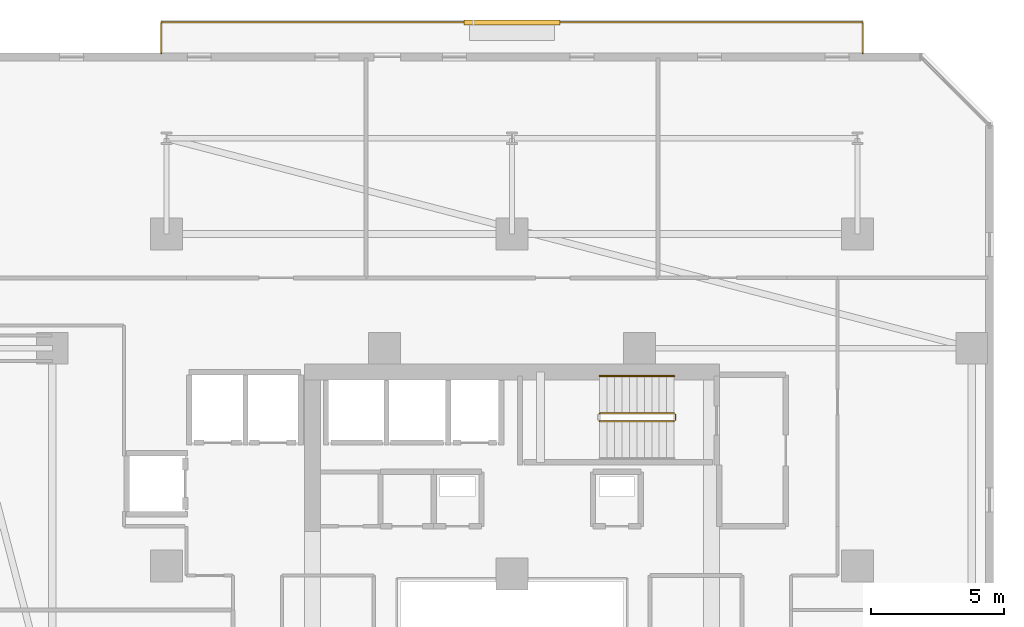
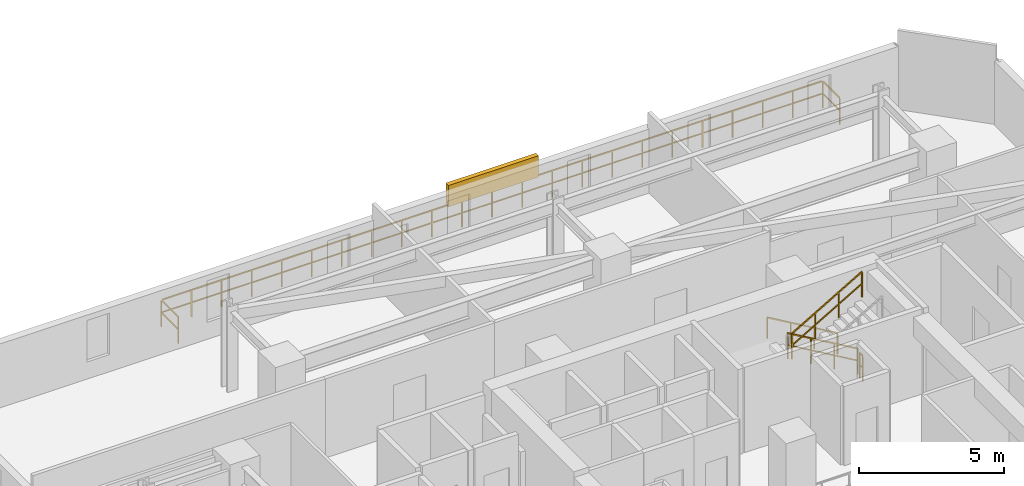
# One storey, part 31 of 33: 5 railings, 1 shading device.
"""IFC4 building model written with IfcOpenShell, lengths in metres."""

from ifc_helpers import new_model, si_unit, direction, frame, origin, origin_2d, place, context, subcontext, project, spatial, rectangle, extrude, material, type_object, element, save


model = new_model("IFC4")

# Units and contexts
model_context = context("Model", 3, precision=1e-05, world=origin(), true_north=direction((0.0, 1.0)))
body_context = subcontext(model_context, "Body", "Model", "MODEL_VIEW")
ifc_project = project(units=[si_unit("LENGTHUNIT", "METRE"), si_unit("AREAUNIT", "SQUARE_METRE"), si_unit("VOLUMEUNIT", "CUBIC_METRE"), si_unit("PLANEANGLEUNIT", "RADIAN"), si_unit("MASSUNIT", "GRAM", prefix="KILO")], contexts=[model_context])

# Site, building, storey
site_placement = place(None, origin())
site = spatial("IfcSite", under=ifc_project, at=site_placement, CompositionType="ELEMENT")
building_placement = place(site_placement, origin())
building = spatial("IfcBuilding", under=site, at=building_placement, Name="Thornwick Lancets Civic Towers", CompositionType="ELEMENT")
storey_placement = place(building_placement, frame((0.0, 0.0, 112.5)))
storey = spatial("IfcBuildingStorey", under=building, at=storey_placement, Name="L29", CompositionType="ELEMENT", Elevation=112.5)

# Railings
ifc_material_1 = material(Name="Brushed stainless steel S355", Category="steel")
railing_type_1 = type_object("IfcRailingType", Name="RAIL_HANDRAIL", PredefinedType="HANDRAIL", material=ifc_material_1)
railing_1_placement = place(storey_placement, frame((31.60009765625, 38.949951171875, 0.16357421875)))
element("IfcRailing", 1, at=railing_1_placement, inside=storey, type_object=railing_type_1, Name="L29 ST-A2 stair handrail 1", PredefinedType="HANDRAIL", context=body_context, shape_type="SweptSolid", body=[
    extrude(rectangle(XDim=0.048095703125, YDim=0.048095703125, at=origin_2d()), frame((0.0, 0.0, 0.8857421875), z_axis=(-0.863360870873, 0.0, 0.504586966384), x_axis=(0.0, -1.0, 0.0)), (0.0, 0.0, 1.0), 3.2431640625),
    extrude(rectangle(XDim=0.0419921875, YDim=0.0419921875, at=origin_2d()), origin(), (0.0, 0.0, 1.0), 0.855712890625),
    extrude(rectangle(XDim=0.0419921875, YDim=0.0419921875, at=origin_2d()), frame((-0.933349609375, 0.0, 0.54541015625)), (0.0, 0.0, 1.0), 0.855712890625),
    extrude(rectangle(XDim=0.0419921875, YDim=0.0419921875, at=origin_2d()), frame((-1.86669921875, 0.0, 1.091064453125)), (0.0, 0.0, 1.0), 0.855712890625),
    extrude(rectangle(XDim=0.0419921875, YDim=0.0419921875, at=origin_2d()), frame((-2.800048828125, 0.0, 1.636474609375)), (0.0, 0.0, 1.0), 0.855712890625),
])
ifc_material_2 = material(Name="Steel S355JR", Category="steel")
railing_type_2 = type_object("IfcRailingType", Name="RAIL_STAIR_GUARD", PredefinedType="GUARDRAIL", material=ifc_material_2)
railing_2_placement = place(storey_placement, frame((31.60009765625, 37.550048828125, 0.16357421875)))
element("IfcRailing", 2, at=railing_2_placement, inside=storey, type_object=railing_type_2, Name="L29 ST-A2 stair guard 1", PredefinedType="GUARDRAIL", context=body_context, shape_type="SweptSolid", body=[
    extrude(rectangle(XDim=0.048095703125, YDim=0.048095703125, at=origin_2d()), frame((0.0, 0.0, 1.076171875), z_axis=(-0.863360870873, 0.0, 0.504586966384), x_axis=(0.0, -1.0, 0.0)), (0.0, 0.0, 1.0), 3.2431640625),
    extrude(rectangle(XDim=0.0419921875, YDim=0.0419921875, at=origin_2d()), frame((-0.032470703125, 0.0, 0.591064453125), z_axis=(-0.863360870873, 0.0, 0.504586966384), x_axis=(0.0, -1.0, 0.0)), (0.0, 0.0, 1.0), 1.006103515625),
    extrude(rectangle(XDim=0.0419921875, YDim=0.0419921875, at=origin_2d()), frame((-0.9658203125, 0.0, 1.136474609375), z_axis=(-0.863360870873, 0.0, 0.504586966384), x_axis=(0.0, -1.0, 0.0)), (0.0, 0.0, 1.0), 1.006103515625),
    extrude(rectangle(XDim=0.0419921875, YDim=0.0419921875, at=origin_2d()), frame((-1.899169921875, 0.0, 1.681884765625), z_axis=(-0.863360870873, 0.0, 0.504586966384), x_axis=(0.0, -1.0, 0.0)), (0.0, 0.0, 1.0), 1.006103515625),
    extrude(rectangle(XDim=0.0419921875, YDim=0.0419921875, at=origin_2d()), origin(), (0.0, 0.0, 1.0), 1.0458984375),
    extrude(rectangle(XDim=0.0419921875, YDim=0.0419921875, at=origin_2d()), frame((-0.933349609375, 0.0, 0.54541015625)), (0.0, 0.0, 1.0), 1.0458984375),
    extrude(rectangle(XDim=0.0419921875, YDim=0.0419921875, at=origin_2d()), frame((-1.86669921875, 0.0, 1.091064453125)), (0.0, 0.0, 1.0), 1.0458984375),
    extrude(rectangle(XDim=0.0419921875, YDim=0.0419921875, at=origin_2d()), frame((-2.800048828125, 0.0, 1.636474609375)), (0.0, 0.0, 1.0), 1.0458984375),
])
railing_3_placement = place(storey_placement, frame((28.800048828125, 37.25, 1.963623046875)))
element("IfcRailing", 3, at=railing_3_placement, inside=storey, type_object=railing_type_2, Name="L29 ST-A2 stair guard 3", PredefinedType="GUARDRAIL", context=body_context, shape_type="SweptSolid", body=[
    extrude(rectangle(XDim=0.048095703125, YDim=0.048095703125, at=origin_2d()), frame((0.0, 0.0, 1.076171875), z_axis=(0.863360870873, 0.0, 0.504586966384), x_axis=(0.0, 1.0, 0.0)), (0.0, 0.0, 1.0), 3.2431640625),
    extrude(rectangle(XDim=0.0419921875, YDim=0.0419921875, at=origin_2d()), frame((0.032470703125, 0.0, 0.591064453125), z_axis=(0.863360870873, 0.0, 0.504586966384), x_axis=(0.0, 1.0, 0.0)), (0.0, 0.0, 1.0), 1.006103515625),
    extrude(rectangle(XDim=0.0419921875, YDim=0.0419921875, at=origin_2d()), frame((0.9658203125, 0.0, 1.136474609375), z_axis=(0.863360870873, 0.0, 0.504586966384), x_axis=(0.0, 1.0, 0.0)), (0.0, 0.0, 1.0), 1.006103515625),
    extrude(rectangle(XDim=0.0419921875, YDim=0.0419921875, at=origin_2d()), frame((1.899169921875, 0.0, 1.681884765625), z_axis=(0.863360870873, 0.0, 0.504586966384), x_axis=(0.0, 1.0, 0.0)), (0.0, 0.0, 1.0), 1.006103515625),
    extrude(rectangle(XDim=0.0419921875, YDim=0.0419921875, at=origin_2d()), origin(), (0.0, 0.0, 1.0), 1.0458984375),
    extrude(rectangle(XDim=0.0419921875, YDim=0.0419921875, at=origin_2d()), frame((0.933349609375, 0.0, 0.54541015625)), (0.0, 0.0, 1.0), 1.0458984375),
    extrude(rectangle(XDim=0.0419921875, YDim=0.0419921875, at=origin_2d()), frame((1.86669921875, 0.0, 1.091064453125)), (0.0, 0.0, 1.0), 1.0458984375),
    extrude(rectangle(XDim=0.0419921875, YDim=0.0419921875, at=origin_2d()), frame((2.800048828125, 0.0, 1.636474609375)), (0.0, 0.0, 1.0), 1.0458984375),
])
railing_4_placement = place(storey_placement, frame((31.64990234375, 37.5, 0.0)))
element("IfcRailing", 4, at=railing_4_placement, inside=storey, type_object=railing_type_2, Name="L29 ST-A2 stair guard 4", PredefinedType="GUARDRAIL", context=body_context, shape_type="SweptSolid", body=[
    extrude(rectangle(XDim=0.048095703125, YDim=0.048095703125, at=origin_2d()), frame((0.0, 0.0, 1.076171875), z_axis=(0.0, -1.0, 0.0), x_axis=(1.0, 0.0, 0.0)), (0.0, 0.0, 1.0), 0.199951171875),
    extrude(rectangle(XDim=0.0419921875, YDim=0.0419921875, at=origin_2d()), frame((0.0, -0.03759765625, 0.572021484375), z_axis=(0.0, -1.0, 0.0), x_axis=(1.0, 0.0, 0.0)), (0.0, 0.0, 1.0), 0.125),
    extrude(rectangle(XDim=0.0419921875, YDim=0.0419921875, at=origin_2d()), origin(), (0.0, 0.0, 1.0), 1.0458984375),
    extrude(rectangle(XDim=0.0419921875, YDim=0.0419921875, at=origin_2d()), frame((0.0, -0.199951171875, 0.0)), (0.0, 0.0, 1.0), 1.0458984375),
])
ifc_material_3 = material(Name="Terracotta-capped laminated glass balustrade S355", Category="masonry")
railing_type_3 = type_object("IfcRailingType", Name="RAIL_TERR_GUARD", PredefinedType="GUARDRAIL", material=ifc_material_3)
railing_5_placement = place(storey_placement, frame((12.300048828125, 51.10009765625, 0.0)))
element("IfcRailing", 5, at=railing_5_placement, inside=storey, type_object=railing_type_3, Name="L29 Tower A Balcony Guard N", PredefinedType="GUARDRAIL", context=body_context, shape_type="SweptSolid", body=[
    extrude(rectangle(XDim=0.048095703125, YDim=0.048095703125, at=origin_2d()), frame((0.0, 0.0, 1.1259765625), z_axis=(0.0, 1.0, 0.0), x_axis=(-1.0, 0.0, 0.0)), (0.0, 0.0, 1.0), 1.138671875),
    extrude(rectangle(XDim=0.0419921875, YDim=0.0419921875, at=origin_2d()), frame((0.0, 0.03759765625, 0.597900390625), z_axis=(0.0, 1.0, 0.0), x_axis=(-1.0, 0.0, 0.0)), (0.0, 0.0, 1.0), 1.094970703125),
    extrude(rectangle(XDim=0.048095703125, YDim=0.048095703125, at=origin_2d()), frame((0.03125, 1.169921875, 1.1259765625), z_axis=(1.0, 0.0, 0.0), x_axis=(0.0, 1.0, 0.0)), (0.0, 0.0, 1.0), 26.33740234375),
    extrude(rectangle(XDim=0.0419921875, YDim=0.0419921875, at=origin_2d()), frame((0.03759765625, 1.169921875, 0.597900390625), z_axis=(1.0, 0.0, 0.0), x_axis=(0.0, 1.0, 0.0)), (0.0, 0.0, 1.0), 1.125),
    extrude(rectangle(XDim=0.0419921875, YDim=0.0419921875, at=origin_2d()), frame((1.237548828125, 1.169921875, 0.597900390625), z_axis=(1.0, 0.0, 0.0), x_axis=(0.0, 1.0, 0.0)), (0.0, 0.0, 1.0), 1.125),
    extrude(rectangle(XDim=0.0419921875, YDim=0.0419921875, at=origin_2d()), frame((2.4375, 1.169921875, 0.597900390625), z_axis=(1.0, 0.0, 0.0), x_axis=(0.0, 1.0, 0.0)), (0.0, 0.0, 1.0), 1.125),
    extrude(rectangle(XDim=0.0419921875, YDim=0.0419921875, at=origin_2d()), frame((3.637451171875, 1.169921875, 0.597900390625), z_axis=(1.0, 0.0, 0.0), x_axis=(0.0, 1.0, 0.0)), (0.0, 0.0, 1.0), 1.125),
    extrude(rectangle(XDim=0.0419921875, YDim=0.0419921875, at=origin_2d()), frame((4.83740234375, 1.169921875, 0.597900390625), z_axis=(1.0, 0.0, 0.0), x_axis=(0.0, 1.0, 0.0)), (0.0, 0.0, 1.0), 1.125),
    extrude(rectangle(XDim=0.0419921875, YDim=0.0419921875, at=origin_2d()), frame((6.037353515625, 1.169921875, 0.597900390625), z_axis=(1.0, 0.0, 0.0), x_axis=(0.0, 1.0, 0.0)), (0.0, 0.0, 1.0), 1.125),
    extrude(rectangle(XDim=0.0419921875, YDim=0.0419921875, at=origin_2d()), frame((7.237548828125, 1.169921875, 0.597900390625), z_axis=(1.0, 0.0, 0.0), x_axis=(0.0, 1.0, 0.0)), (0.0, 0.0, 1.0), 1.125),
    extrude(rectangle(XDim=0.0419921875, YDim=0.0419921875, at=origin_2d()), frame((8.4375, 1.169921875, 0.597900390625), z_axis=(1.0, 0.0, 0.0), x_axis=(0.0, 1.0, 0.0)), (0.0, 0.0, 1.0), 1.125),
    extrude(rectangle(XDim=0.0419921875, YDim=0.0419921875, at=origin_2d()), frame((9.637451171875, 1.169921875, 0.597900390625), z_axis=(1.0, 0.0, 0.0), x_axis=(0.0, 1.0, 0.0)), (0.0, 0.0, 1.0), 1.125),
    extrude(rectangle(XDim=0.0419921875, YDim=0.0419921875, at=origin_2d()), frame((10.83740234375, 1.169921875, 0.597900390625), z_axis=(1.0, 0.0, 0.0), x_axis=(0.0, 1.0, 0.0)), (0.0, 0.0, 1.0), 1.125),
    extrude(rectangle(XDim=0.0419921875, YDim=0.0419921875, at=origin_2d()), frame((12.037353515625, 1.169921875, 0.597900390625), z_axis=(1.0, 0.0, 0.0), x_axis=(0.0, 1.0, 0.0)), (0.0, 0.0, 1.0), 1.125),
    extrude(rectangle(XDim=0.0419921875, YDim=0.0419921875, at=origin_2d()), frame((13.237548828125, 1.169921875, 0.597900390625), z_axis=(1.0, 0.0, 0.0), x_axis=(0.0, 1.0, 0.0)), (0.0, 0.0, 1.0), 1.125),
    extrude(rectangle(XDim=0.0419921875, YDim=0.0419921875, at=origin_2d()), frame((14.4375, 1.169921875, 0.597900390625), z_axis=(1.0, 0.0, 0.0), x_axis=(0.0, 1.0, 0.0)), (0.0, 0.0, 1.0), 1.125),
    extrude(rectangle(XDim=0.0419921875, YDim=0.0419921875, at=origin_2d()), frame((15.637451171875, 1.169921875, 0.597900390625), z_axis=(1.0, 0.0, 0.0), x_axis=(0.0, 1.0, 0.0)), (0.0, 0.0, 1.0), 1.125),
    extrude(rectangle(XDim=0.0419921875, YDim=0.0419921875, at=origin_2d()), frame((16.83740234375, 1.169921875, 0.597900390625), z_axis=(1.0, 0.0, 0.0), x_axis=(0.0, 1.0, 0.0)), (0.0, 0.0, 1.0), 1.125),
    extrude(rectangle(XDim=0.0419921875, YDim=0.0419921875, at=origin_2d()), frame((18.037353515625, 1.169921875, 0.597900390625), z_axis=(1.0, 0.0, 0.0), x_axis=(0.0, 1.0, 0.0)), (0.0, 0.0, 1.0), 1.125),
    extrude(rectangle(XDim=0.0419921875, YDim=0.0419921875, at=origin_2d()), frame((19.2373046875, 1.169921875, 0.597900390625), z_axis=(1.0, 0.0, 0.0), x_axis=(0.0, 1.0, 0.0)), (0.0, 0.0, 1.0), 1.125),
    extrude(rectangle(XDim=0.0419921875, YDim=0.0419921875, at=origin_2d()), frame((20.4375, 1.169921875, 0.597900390625), z_axis=(1.0, 0.0, 0.0), x_axis=(0.0, 1.0, 0.0)), (0.0, 0.0, 1.0), 1.125),
    extrude(rectangle(XDim=0.0419921875, YDim=0.0419921875, at=origin_2d()), frame((21.637451171875, 1.169921875, 0.597900390625), z_axis=(1.0, 0.0, 0.0), x_axis=(0.0, 1.0, 0.0)), (0.0, 0.0, 1.0), 1.125),
    extrude(rectangle(XDim=0.0419921875, YDim=0.0419921875, at=origin_2d()), frame((22.83740234375, 1.169921875, 0.597900390625), z_axis=(1.0, 0.0, 0.0), x_axis=(0.0, 1.0, 0.0)), (0.0, 0.0, 1.0), 1.125),
    extrude(rectangle(XDim=0.0419921875, YDim=0.0419921875, at=origin_2d()), frame((24.037353515625, 1.169921875, 0.597900390625), z_axis=(1.0, 0.0, 0.0), x_axis=(0.0, 1.0, 0.0)), (0.0, 0.0, 1.0), 1.125),
    extrude(rectangle(XDim=0.0419921875, YDim=0.0419921875, at=origin_2d()), frame((25.2373046875, 1.169921875, 0.597900390625), z_axis=(1.0, 0.0, 0.0), x_axis=(0.0, 1.0, 0.0)), (0.0, 0.0, 1.0), 1.125),
    extrude(rectangle(XDim=0.048095703125, YDim=0.048095703125, at=origin_2d()), frame((26.39990234375, 1.138671875, 1.1259765625), z_axis=(0.0, -1.0, 0.0), x_axis=(1.0, 0.0, 0.0)), (0.0, 0.0, 1.0), 1.138671875),
    extrude(rectangle(XDim=0.0419921875, YDim=0.0419921875, at=origin_2d()), frame((26.39990234375, 1.13232421875, 0.597900390625), z_axis=(0.0, -1.0, 0.0), x_axis=(1.0, 0.0, 0.0)), (0.0, 0.0, 1.0), 1.094970703125),
    extrude(rectangle(XDim=0.0419921875, YDim=0.0419921875, at=origin_2d()), origin(), (0.0, 0.0, 1.0), 1.095703125),
    extrude(rectangle(XDim=0.0419921875, YDim=0.0419921875, at=origin_2d()), frame((0.0, 1.169921875, 0.0)), (0.0, 0.0, 1.0), 1.095703125),
    extrude(rectangle(XDim=0.0419921875, YDim=0.0419921875, at=origin_2d()), frame((1.199951171875, 1.169921875, 0.0)), (0.0, 0.0, 1.0), 1.095703125),
    extrude(rectangle(XDim=0.0419921875, YDim=0.0419921875, at=origin_2d()), frame((2.39990234375, 1.169921875, 0.0)), (0.0, 0.0, 1.0), 1.095703125),
    extrude(rectangle(XDim=0.0419921875, YDim=0.0419921875, at=origin_2d()), frame((3.60009765625, 1.169921875, 0.0)), (0.0, 0.0, 1.0), 1.095703125),
    extrude(rectangle(XDim=0.0419921875, YDim=0.0419921875, at=origin_2d()), frame((4.800048828125, 1.169921875, 0.0)), (0.0, 0.0, 1.0), 1.095703125),
    extrude(rectangle(XDim=0.0419921875, YDim=0.0419921875, at=origin_2d()), frame((6.0, 1.169921875, 0.0)), (0.0, 0.0, 1.0), 1.095703125),
    extrude(rectangle(XDim=0.0419921875, YDim=0.0419921875, at=origin_2d()), frame((7.199951171875, 1.169921875, 0.0)), (0.0, 0.0, 1.0), 1.095703125),
    extrude(rectangle(XDim=0.0419921875, YDim=0.0419921875, at=origin_2d()), frame((8.39990234375, 1.169921875, 0.0)), (0.0, 0.0, 1.0), 1.095703125),
    extrude(rectangle(XDim=0.0419921875, YDim=0.0419921875, at=origin_2d()), frame((9.599853515625, 1.169921875, 0.0)), (0.0, 0.0, 1.0), 1.095703125),
    extrude(rectangle(XDim=0.0419921875, YDim=0.0419921875, at=origin_2d()), frame((10.800048828125, 1.169921875, 0.0)), (0.0, 0.0, 1.0), 1.095703125),
    extrude(rectangle(XDim=0.0419921875, YDim=0.0419921875, at=origin_2d()), frame((12.0, 1.169921875, 0.0)), (0.0, 0.0, 1.0), 1.095703125),
    extrude(rectangle(XDim=0.0419921875, YDim=0.0419921875, at=origin_2d()), frame((13.199951171875, 1.169921875, 0.0)), (0.0, 0.0, 1.0), 1.095703125),
    extrude(rectangle(XDim=0.0419921875, YDim=0.0419921875, at=origin_2d()), frame((14.39990234375, 1.169921875, 0.0)), (0.0, 0.0, 1.0), 1.095703125),
    extrude(rectangle(XDim=0.0419921875, YDim=0.0419921875, at=origin_2d()), frame((15.599853515625, 1.169921875, 0.0)), (0.0, 0.0, 1.0), 1.095703125),
    extrude(rectangle(XDim=0.0419921875, YDim=0.0419921875, at=origin_2d()), frame((16.800048828125, 1.169921875, 0.0)), (0.0, 0.0, 1.0), 1.095703125),
    extrude(rectangle(XDim=0.0419921875, YDim=0.0419921875, at=origin_2d()), frame((18.0, 1.169921875, 0.0)), (0.0, 0.0, 1.0), 1.095703125),
    extrude(rectangle(XDim=0.0419921875, YDim=0.0419921875, at=origin_2d()), frame((19.199951171875, 1.169921875, 0.0)), (0.0, 0.0, 1.0), 1.095703125),
    extrude(rectangle(XDim=0.0419921875, YDim=0.0419921875, at=origin_2d()), frame((20.39990234375, 1.169921875, 0.0)), (0.0, 0.0, 1.0), 1.095703125),
    extrude(rectangle(XDim=0.0419921875, YDim=0.0419921875, at=origin_2d()), frame((21.599853515625, 1.169921875, 0.0)), (0.0, 0.0, 1.0), 1.095703125),
    extrude(rectangle(XDim=0.0419921875, YDim=0.0419921875, at=origin_2d()), frame((22.7998046875, 1.169921875, 0.0)), (0.0, 0.0, 1.0), 1.095703125),
    extrude(rectangle(XDim=0.0419921875, YDim=0.0419921875, at=origin_2d()), frame((24.0, 1.169921875, 0.0)), (0.0, 0.0, 1.0), 1.095703125),
    extrude(rectangle(XDim=0.0419921875, YDim=0.0419921875, at=origin_2d()), frame((25.199951171875, 1.169921875, 0.0)), (0.0, 0.0, 1.0), 1.095703125),
    extrude(rectangle(XDim=0.0419921875, YDim=0.0419921875, at=origin_2d()), frame((26.39990234375, 1.169921875, 0.0)), (0.0, 0.0, 1.0), 1.095703125),
    extrude(rectangle(XDim=0.0419921875, YDim=0.0419921875, at=origin_2d()), frame((26.39990234375, 0.0, 0.0)), (0.0, 0.0, 1.0), 1.095703125),
])

# Shading device
ifc_material_4 = material(Name="Extruded terracotta baguette solar screen", Category="masonry")
shading_device_type = type_object("IfcShadingDeviceType", Name="SHADE_BAGUETTE", PredefinedType="JALOUSIE", material=ifc_material_4)
shading_device_placement = place(storey_placement, frame((25.5, 52.260009765625, 1.1201171875), z_axis=(0.0, 0.0, 1.0), x_axis=(1.0, 0.0, 0.0)))
element("IfcShadingDevice", 6, at=shading_device_placement, inside=storey, type_object=shading_device_type, Name="L29 Tower A Terracotta Baguette Screen N", PredefinedType="JALOUSIE", context=body_context, shape_type="SweptSolid", body=[
    extrude(rectangle(XDim=3.60009765625, YDim=0.179931640625, at=origin_2d()), origin(), (0.0, 0.0, 1.0), 0.89990234375),
])

save(model, "model.ifc")
